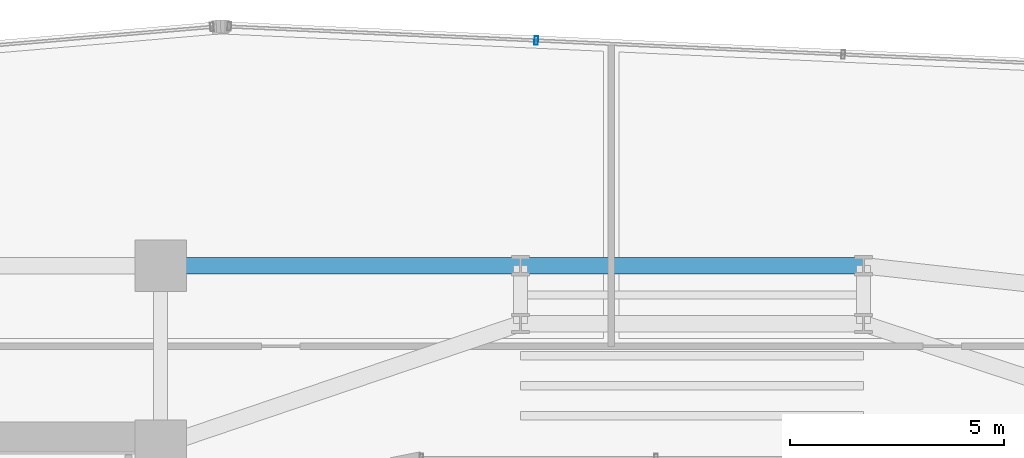
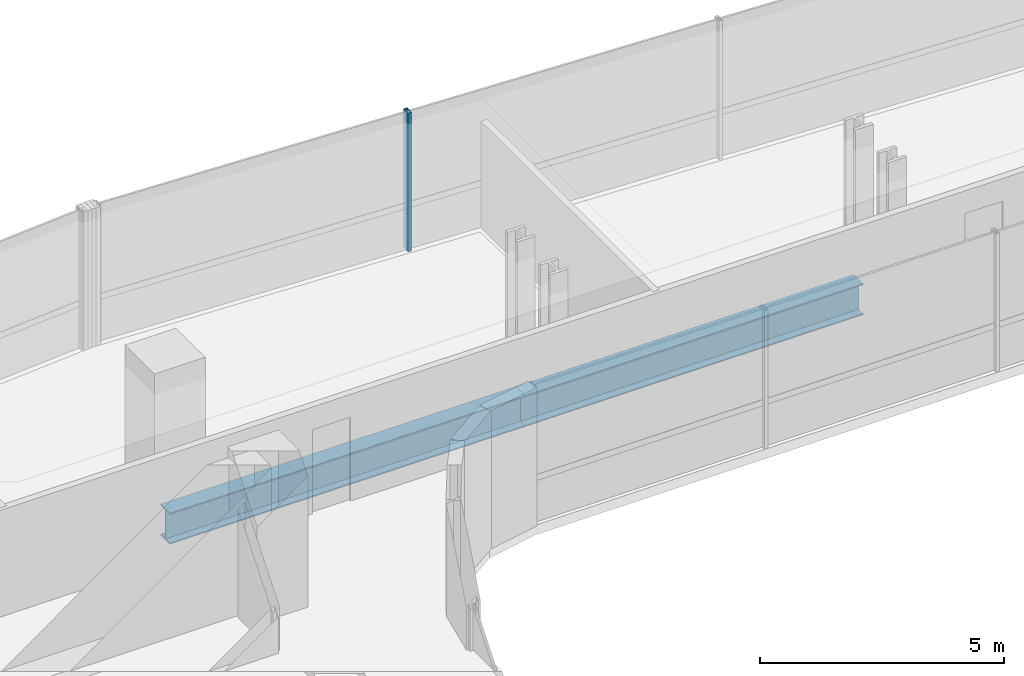
# One storey, part 20 of 34: 2 beams, 1 member, 1 element without a shape of its own.
"""IFC4 building model written with IfcOpenShell, lengths in metres."""

from ifc_helpers import new_model, si_unit, direction, frame, origin, origin_2d, place, context, subcontext, project, spatial, hollow_rectangle, i_section, extrude, source, transform, mapped, material, material_profile, profile_set, type_object, element, aggregate, save


model = new_model("IFC4")

# Units and contexts
model_context = context("Model", 3, precision=1e-05, world=origin(), true_north=direction((0.0, 1.0)))
body_context = subcontext(model_context, "Body", "Model", "MODEL_VIEW")
ifc_project = project(units=[si_unit("LENGTHUNIT", "METRE"), si_unit("AREAUNIT", "SQUARE_METRE"), si_unit("VOLUMEUNIT", "CUBIC_METRE"), si_unit("PLANEANGLEUNIT", "RADIAN"), si_unit("MASSUNIT", "GRAM", prefix="KILO")], contexts=[model_context])

# Site, building, storey
site_placement = place(None, origin())
site = spatial("IfcSite", under=ifc_project, at=site_placement, CompositionType="ELEMENT")
building_placement = place(site_placement, origin())
building = spatial("IfcBuilding", under=site, at=building_placement, Name="Valdorenza Pilgrim Sanctuary Tower", CompositionType="ELEMENT")
storey_placement = place(building_placement, frame((0.0, 0.0, 142.699951171875)))
storey = spatial("IfcBuildingStorey", under=building, at=storey_placement, Name="L36", CompositionType="ELEMENT", Elevation=142.699951171875)

# Beams
ifc_material_1 = material(Name="Steel ASTM A992 Grade 50", Category="steel")
ifc_material_profile_1 = material_profile(ifc_material_1, i_section(OverallWidth=0.382080078125, OverallDepth=0.779052734375, WebThickness=0.01806640625, FlangeThickness=0.030029296875, at=origin_2d()), Name="W30X191")
ifc_profile_set_1 = profile_set([ifc_material_profile_1], Name="Steel ASTM A992 Grade 50")
beam_type = type_object("IfcBeamType", Name="STR-BM-GRD-W30", PredefinedType="BEAM", material=ifc_profile_set_1)
shared_shape_1 = source(origin(), body_context, "Body", "SweptSolid", [
    extrude(i_section(OverallWidth=0.382080078125, OverallDepth=0.779052734375, WebThickness=0.01806640625, FlangeThickness=0.030029296875, at=origin_2d()), origin(), (0.0, 0.0, 1.0), 8.0),
])
beam_1_placement = place(storey_placement, frame((-4.0, 14.800048828125, -0.62939453125), z_axis=(1.0, 0.0, 0.0), x_axis=(0.0, 1.0, 0.0)))
element("IfcBeam", 1, at=beam_1_placement, inside=storey, type_object=beam_type, Name="L36 Floor Girder KNK-G5", PredefinedType="BEAM", context=body_context, shape_type="MappedRepresentation", body=[
    mapped(shared_shape_1, transform((0.0, 0.0, 0.0), x_axis=(1.0, 0.0, 0.0), y_axis=(0.0, 1.0, 0.0), z_axis=(0.0, 0.0, 1.0), scale=1.0)),
])
shared_shape_2 = source(origin(), body_context, "Body", "SweptSolid", [
    extrude(i_section(OverallWidth=0.382080078125, OverallDepth=0.779052734375, WebThickness=0.01806640625, FlangeThickness=0.030029296875, at=origin_2d()), origin(), (0.0, 0.0, 1.0), 8.39990234375),
])
beam_2_placement = place(storey_placement, frame((-12.39990234375, 14.800048828125, -0.62939453125), z_axis=(1.0, 0.0, 0.0), x_axis=(0.0, 1.0, 0.0)))
element("IfcBeam", 2, at=beam_2_placement, inside=storey, type_object=beam_type, Name="L36 Floor Girder KNK-G4", PredefinedType="BEAM", context=body_context, shape_type="MappedRepresentation", body=[
    mapped(shared_shape_2, transform((0.0, 0.0, 0.0), x_axis=(1.0, 0.0, 0.0), y_axis=(0.0, 1.0, 0.0), z_axis=(0.0, 0.0, 1.0), scale=1.0)),
])

# Curtain wall, member
ifc_material_2 = material(Name="Curtain-wall IGU glazing", Category="glass")
curtain_wall_type = type_object("IfcCurtainWallType", Name="CW-SYS-02", PredefinedType="NOTDEFINED", material=ifc_material_2)
curtain_wall_placement = place(storey_placement, origin())
curtain_wall = element("IfcCurtainWall", 3, at=curtain_wall_placement, inside=storey, type_object=curtain_wall_type, Name="L36 Curtain Wall CW-L36-1-11", PredefinedType="NOTDEFINED")
ifc_material_3 = material(Name="Anodised aluminium AW-6060", Category="aluminium")
ifc_material_profile_2 = material_profile(ifc_material_3, hollow_rectangle(XDim=0.0849609375, YDim=0.199951171875, WallThickness=0.0048828125, at=origin_2d()), Name="ALU-M 200x85x5")
ifc_profile_set_2 = profile_set([ifc_material_profile_2], Name="Anodised aluminium AW-6060")
member_type = type_object("IfcMemberType", Name="CW-MUL-02", PredefinedType="MULLION", material=ifc_profile_set_2)
shared_shape_3 = source(origin(), body_context, "Body", "SweptSolid", [
    extrude(hollow_rectangle(XDim=0.0849609375, YDim=0.199951171875, WallThickness=0.0048828125, at=origin_2d()), origin(), (0.0, 0.0, 1.0), 3.4599609375),
])
member_placement = place(storey_placement, frame((-3.6337890625, 20.05517578125, 0.0), z_axis=(0.0, 0.0, 1.0), x_axis=(0.998968193221, -0.045415294044, 0.0)))
member = element("IfcMember", 4, at=member_placement, type_object=member_type, Name="CW-L36-1-11 Mullion 2", PredefinedType="MULLION", context=body_context, shape_type="MappedRepresentation", body=[
    mapped(shared_shape_3, transform((0.0, 0.0, 0.0), x_axis=(1.0, 0.0, 0.0), y_axis=(0.0, 1.0, 0.0), z_axis=(0.0, 0.0, 1.0), scale=1.0)),
])
aggregate(curtain_wall, [member])

save(model, "model.ifc")
